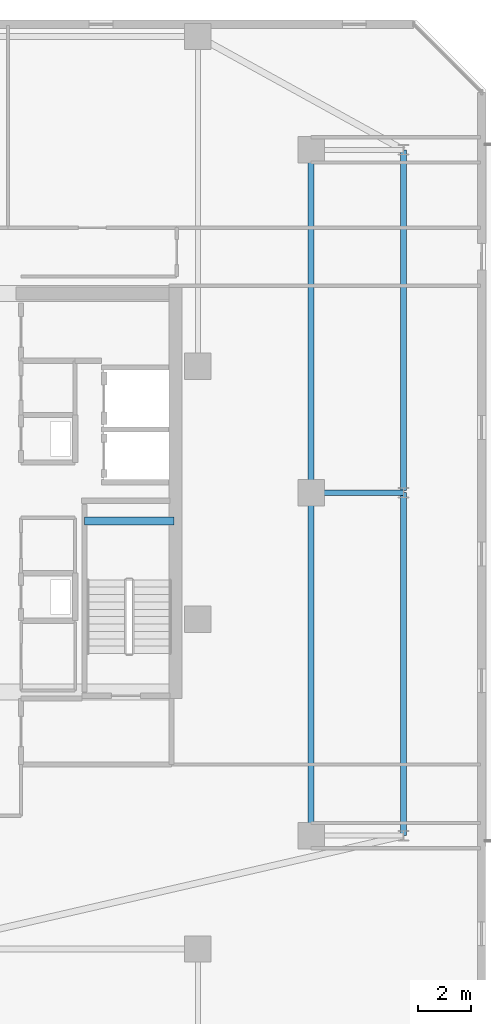
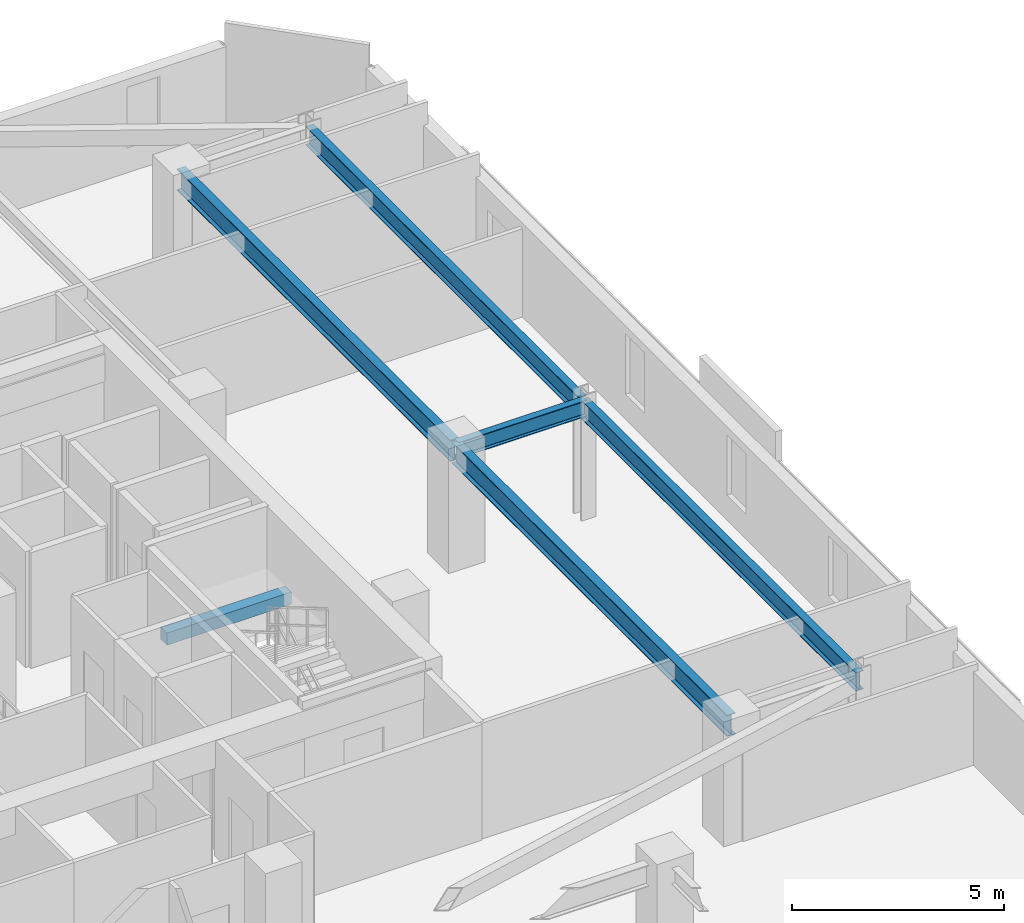
# One storey, part 13 of 32: 6 beams.
"""IFC4 building model written with IfcOpenShell, lengths in metres."""

import ifcopenshell
import ifcopenshell.guid

model = None  # the IFC model being written
_history = None  # IfcOwnerHistory: only IFC2X3 demands one
_inside = {}  # id of a spatial element -> (the spatial element, [elements in it])
_under = {}  # id of a project, library or spatial element -> (it, [spatial elements below it])
_declared = {}  # id of a project -> (the project, [libraries it declares])
_typed = {}  # id of a type object -> (the type object, [elements of that type])
_made_of = {}  # id of a material, layer set ... -> (it, [elements and type objects made of it])


def new_model(schema):
    """Start an empty IFC model of exactly this schema.

    Asked for "IFC4X3", IfcOpenShell would pick the latest addendum, in which some entities
    have other attributes; the version numbers below select the first issue.
    IFC2X3 requires an IfcOwnerHistory on every rooted entity: one is made here for all.
    """
    global model, _history
    if schema == "IFC4X3":
        model = ifcopenshell.file(schema_version=(4, 3, 0, 0))
    else:
        model = ifcopenshell.file(schema=schema)
    _inside.clear()
    _under.clear()
    _declared.clear()
    _typed.clear()
    _made_of.clear()
    _history = None
    if model.schema == "IFC2X3":
        org = make("IfcOrganization", Name="unknown")
        user = make(
            "IfcPersonAndOrganization",
            ThePerson=make("IfcPerson", FamilyName="unknown"),
            TheOrganization=org,
        )
        app = make(
            "IfcApplication",
            ApplicationDeveloper=org,
            Version="unknown",
            ApplicationFullName="unknown",
            ApplicationIdentifier="unknown",
        )
        _history = make(
            "IfcOwnerHistory",
            OwningUser=user,
            OwningApplication=app,
            ChangeAction="ADDED",
            CreationDate=0,
        )
    return model


def make(cls, **values):
    """One entity of the class cls with the attributes given. An attribute that is None is left unset."""
    return model.create_entity(
        cls, **{name: value for name, value in values.items() if value is not None}
    )


def rooted(cls, **values):
    """An entity with a GlobalId (a new one), such as an element, a storey or a relation."""
    return make(cls, GlobalId=ifcopenshell.guid.new(), OwnerHistory=_history, **values)


def si_unit(unit_type, name, prefix=None):
    """IfcSIUnit, for example si_unit("LENGTHUNIT", "METRE", prefix="MILLI")."""
    return make("IfcSIUnit", UnitType=unit_type, Prefix=prefix, Name=name)


def assignment(units):
    """IfcUnitAssignment: the units of a project."""
    return None if units is None else make("IfcUnitAssignment", Units=units)


def point(xyz):
    """IfcCartesianPoint."""
    return None if xyz is None else make("IfcCartesianPoint", Coordinates=xyz)


def direction(xyz):
    """IfcDirection."""
    return None if xyz is None else make("IfcDirection", DirectionRatios=xyz)


def frame(location, z_axis=None, x_axis=None):
    """IfcAxis2Placement3D, a coordinate frame: its origin and axes. An axis left out is left unset."""
    return make(
        "IfcAxis2Placement3D",
        Location=point(location),
        Axis=direction(z_axis),
        RefDirection=direction(x_axis),
    )


def frame_2d(location, x_axis=None):
    """IfcAxis2Placement2D, a coordinate frame in the plane: its origin and x axis."""
    return make(
        "IfcAxis2Placement2D", Location=point(location), RefDirection=direction(x_axis)
    )


def origin():
    """The frame at (0, 0, 0) with its axes left unset."""
    return frame((0.0, 0.0, 0.0))


def origin_2d():
    """The frame at (0, 0) in the plane with its x axis left unset."""
    return frame_2d((0.0, 0.0))


def place(relative_to, where):
    """IfcLocalPlacement: puts the frame where relative to a parent placement (None: the world)."""
    return make(
        "IfcLocalPlacement", PlacementRelTo=relative_to, RelativePlacement=where
    )


def context(
    kind, dimensions, precision=None, world=None, true_north=None, identifier=None
):
    """IfcGeometricRepresentationContext, for example the 3D "Model" context."""
    return make(
        "IfcGeometricRepresentationContext",
        ContextIdentifier=identifier,
        ContextType=kind,
        CoordinateSpaceDimension=dimensions,
        Precision=precision,
        WorldCoordinateSystem=world,
        TrueNorth=true_north,
    )


def subcontext(parent, identifier, kind, view, scale=None):
    """IfcGeometricRepresentationSubContext, for example "Body" below "Model"."""
    return make(
        "IfcGeometricRepresentationSubContext",
        ContextIdentifier=identifier,
        ContextType=kind,
        ParentContext=parent,
        TargetScale=scale,
        TargetView=view,
    )


def project(units=None, contexts=None):
    """IfcProject with its units and contexts."""
    return rooted(
        "IfcProject",
        Name="project",
        RepresentationContexts=contexts,
        UnitsInContext=assignment(units),
    )


def spatial(cls, under=None, at=None, **own):
    """A site, building, storey or space (cls), placed at a placement, below another one or the project."""
    s = rooted(cls, ObjectPlacement=at, **own)
    if under is not None:
        _under.setdefault(under.id(), (under, []))[1].append(s)
    return s


def profile(cls, at=None, kind="AREA", **sizes):
    """A parametric profile (cls). Its sizes go by their IFC names, for example OverallWidth=200.0."""
    return make(cls, ProfileType=kind, Position=at, **sizes)


def rectangle(**sizes):
    """IfcRectangleProfileDef."""
    return profile("IfcRectangleProfileDef", **sizes)


def i_section(**sizes):
    """IfcIShapeProfileDef."""
    return profile("IfcIShapeProfileDef", **sizes)


def extrude(swept, where, along, depth):
    """IfcExtrudedAreaSolid: the profile swept, set in the frame where, extruded along a direction by depth."""
    return make(
        "IfcExtrudedAreaSolid",
        SweptArea=swept,
        Position=where,
        ExtrudedDirection=direction(along),
        Depth=depth,
    )


def shape(context_of_items, identifier, shape_type, items):
    """IfcShapeRepresentation: the items that make up one representation, for example the "Body"."""
    return make(
        "IfcShapeRepresentation",
        ContextOfItems=context_of_items,
        RepresentationIdentifier=identifier,
        RepresentationType=shape_type,
        Items=items,
    )


def material(Name=None, Category=None):
    """IfcMaterial."""
    return make("IfcMaterial", Name=Name, Category=Category)


def material_profile(
    of_material, cross_section, Name=None, Category=None, Priority=None
):
    """IfcMaterialProfile: a cross section and its material."""
    return make(
        "IfcMaterialProfile",
        Name=Name,
        Material=of_material,
        Profile=cross_section,
        Priority=Priority,
        Category=Category,
    )


def profile_set(profiles, Name=None, composite=None):
    """IfcMaterialProfileSet."""
    return make(
        "IfcMaterialProfileSet",
        Name=Name,
        MaterialProfiles=profiles,
        CompositeProfile=composite,
    )


def made_of(thing, what):
    """Note that an element or type object is made of a material, layer set ...; save() writes the relation."""
    if what is not None:
        _made_of.setdefault(what.id(), (what, []))[1].append(thing)
    return thing


def type_object(cls, material=None, **own):
    """A type object (cls), such as IfcWallType, which elements share."""
    return made_of(rooted(cls, **own), material)


def element(
    cls,
    number,
    at=None,
    inside=None,
    cuts=None,
    type_object=None,
    material=None,
    context=None,
    identifier="Body",
    shape_type=None,
    held_by="IfcProductDefinitionShape",
    body=None,
    shapes=None,
    **own,
):
    """One element of the class cls, such as IfcWall. Its Tag is "e" and its number.

    at: its placement. inside: the storey or other place that contains it. cuts: it is an
    opening in that element (IfcRelVoidsElement). A single representation is given by context,
    identifier, shape_type and body (its items); several are given by shapes. held_by: the class
    of the entity that holds the representations. save() writes the other relations.
    """
    e = rooted(cls, Tag="e%d" % number, ObjectPlacement=at, **own)
    if body is not None:
        shapes = [shape(context, identifier, shape_type, body)]
    if shapes is not None:
        e.Representation = make(held_by, Representations=shapes)
    if inside is not None:
        _inside.setdefault(inside.id(), (inside, []))[1].append(e)
    if cuts is not None:
        rooted(
            "IfcRelVoidsElement", RelatingBuildingElement=cuts, RelatedOpeningElement=e
        )
    if type_object is not None:
        _typed.setdefault(type_object.id(), (type_object, []))[1].append(e)
    return made_of(e, material)


def aggregate(whole, parts):
    """IfcRelAggregates: a whole, such as a stair, and the parts it consists of."""
    return rooted("IfcRelAggregates", RelatingObject=whole, RelatedObjects=parts)


def save(model, path):
    """Write the relations noted so far, then the file.

    IfcRelAggregates (storeys below a building ...), IfcRelContainedInSpatialStructure (elements
    in a storey), IfcRelDefinesByType, IfcRelAssociatesMaterial and IfcRelDeclares: one each for
    every whole, place, type object, material and project.
    """
    for whole, parts in _under.values():
        aggregate(whole, parts)
    for where, things in _inside.values():
        rooted(
            "IfcRelContainedInSpatialStructure",
            RelatedElements=things,
            RelatingStructure=where,
        )
    for kind, things in _typed.values():
        rooted("IfcRelDefinesByType", RelatedObjects=things, RelatingType=kind)
    for what, things in _made_of.values():
        rooted("IfcRelAssociatesMaterial", RelatedObjects=things, RelatingMaterial=what)
    for by, libraries in _declared.values():
        rooted("IfcRelDeclares", RelatingContext=by, RelatedDefinitions=libraries)
    model.write(path)


model = new_model("IFC4")

# Units and contexts
model_context = context("Model", 3, precision=1e-05, world=origin(), true_north=direction((0.0, 1.0)))
body_context = subcontext(model_context, "Body", "Model", "MODEL_VIEW")
ifc_project = project(units=[si_unit("LENGTHUNIT", "METRE"), si_unit("AREAUNIT", "SQUARE_METRE"), si_unit("VOLUMEUNIT", "CUBIC_METRE"), si_unit("PLANEANGLEUNIT", "RADIAN"), si_unit("MASSUNIT", "GRAM", prefix="KILO")], contexts=[model_context])

# Site, building, storey
site_placement = place(None, origin())
site = spatial("IfcSite", under=ifc_project, at=site_placement, CompositionType="ELEMENT")
building_placement = place(site_placement, origin())
building = spatial("IfcBuilding", under=site, at=building_placement, Name="Thornwick Lancets Civic Towers", CompositionType="ELEMENT")
storey_placement = place(building_placement, frame((0.0, 0.0, 247.5)))
storey = spatial("IfcBuildingStorey", under=building, at=storey_placement, Name="L66", CompositionType="ELEMENT", Elevation=247.5)

# Beams
ifc_material_1 = material(Name="Steel S355JR", Category="steel")
ifc_material_profile_1 = material_profile(ifc_material_1, i_section(OverallWidth=0.210693359375, OverallDepth=0.53955078125, WebThickness=0.01171875, FlangeThickness=0.018798828125, FilletRadius=0.0126953125, at=origin_2d()), Name="UKB 533x210x109")
ifc_profile_set_1 = profile_set([ifc_material_profile_1], Name="Steel S355JR")
beam_type_1 = type_object("IfcBeamType", Name="BM_EDGE_533_109", PredefinedType="SPANDREL", material=ifc_profile_set_1)
beam_1_placement = place(storey_placement, frame((109.300048828125, 14.0, 3.09033203125), z_axis=(0.0, 1.0, 0.0), x_axis=(-1.0, 0.0, 0.0)))
element("IfcBeam", 1, at=beam_1_placement, inside=storey, type_object=beam_type_1, Name="BM-EDGE-L66-B-S0-1", PredefinedType="SPANDREL", context=body_context, shape_type="SweptSolid", body=[
    extrude(i_section(OverallWidth=0.210693359375, OverallDepth=0.53955078125, WebThickness=0.01171875, FlangeThickness=0.018798828125, FilletRadius=0.0126953125, at=origin_2d()), origin(), (0.0, 0.0, 1.0), 13.0),
])
beam_2_placement = place(storey_placement, frame((109.300048828125, 27.080078125, 3.09033203125), z_axis=(0.0, 1.0, 0.0), x_axis=(-1.0, 0.0, 0.0)))
element("IfcBeam", 2, at=beam_2_placement, inside=storey, type_object=beam_type_1, Name="BM-EDGE-L66-B-S0-2", PredefinedType="SPANDREL", context=body_context, shape_type="SweptSolid", body=[
    extrude(i_section(OverallWidth=0.210693359375, OverallDepth=0.53955078125, WebThickness=0.01171875, FlangeThickness=0.018798828125, FilletRadius=0.0126953125, at=origin_2d()), origin(), (0.0, 0.0, 1.0), 12.919921875),
])
ifc_material_profile_2 = material_profile(ifc_material_1, i_section(OverallWidth=0.230224609375, OverallDepth=0.6171875, WebThickness=0.01318359375, FlangeThickness=0.022216796875, FilletRadius=0.0126953125, at=origin_2d()), Name="UKB 610x229x140")
ifc_profile_set_2 = profile_set([ifc_material_profile_2], Name="Steel S355JR")
beam_type_2 = type_object("IfcBeamType", Name="BM_GIRD_610_140", PredefinedType="BEAM", material=ifc_profile_set_2)
beam_3_placement = place(storey_placement, frame((105.800048828125, 14.0, 3.051513671875), z_axis=(0.0, 1.0, 0.0), x_axis=(-1.0, 0.0, 0.0)))
element("IfcBeam", 3, at=beam_3_placement, inside=storey, type_object=beam_type_2, Name="BM-SPINE-L66-B-0-1", PredefinedType="BEAM", context=body_context, shape_type="SweptSolid", body=[
    extrude(i_section(OverallWidth=0.230224609375, OverallDepth=0.6171875, WebThickness=0.01318359375, FlangeThickness=0.022216796875, FilletRadius=0.0126953125, at=origin_2d()), origin(), (0.0, 0.0, 1.0), 13.0),
])
beam_4_placement = place(storey_placement, frame((105.800048828125, 27.080078125, 3.051513671875), z_axis=(0.0, 1.0, 0.0), x_axis=(-1.0, 0.0, 0.0)))
element("IfcBeam", 4, at=beam_4_placement, inside=storey, type_object=beam_type_2, Name="BM-SPINE-L66-B-1-2", PredefinedType="BEAM", context=body_context, shape_type="SweptSolid", body=[
    extrude(i_section(OverallWidth=0.230224609375, OverallDepth=0.6171875, WebThickness=0.01318359375, FlangeThickness=0.022216796875, FilletRadius=0.0126953125, at=origin_2d()), origin(), (0.0, 0.0, 1.0), 12.919921875),
])
ifc_material_profile_3 = material_profile(ifc_material_1, i_section(OverallWidth=0.19189453125, OverallDepth=0.46337890625, WebThickness=0.010498046875, FlangeThickness=0.017578125, FilletRadius=0.01025390625, at=origin_2d()), Name="UKB 457x191x89")
ifc_profile_set_3 = profile_set([ifc_material_profile_3], Name="Steel S355JR")
beam_type_3 = type_object("IfcBeamType", Name="BM_JOIST_457_89", PredefinedType="JOIST", material=ifc_profile_set_3)
beam_5_placement = place(storey_placement, frame((105.800048828125, 27.0, 3.12841796875), z_axis=(1.0, 0.0, 0.0), x_axis=(0.0, 1.0, 0.0)))
element("IfcBeam", 5, at=beam_5_placement, inside=storey, type_object=beam_type_3, Name="BM-RAD-L66-B02", PredefinedType="JOIST", context=body_context, shape_type="SweptSolid", body=[
    extrude(i_section(OverallWidth=0.19189453125, OverallDepth=0.46337890625, WebThickness=0.010498046875, FlangeThickness=0.017578125, FilletRadius=0.01025390625, at=origin_2d()), origin(), (0.0, 0.0, 1.0), 3.5),
])
ifc_material_2 = material(Name="Concrete C40/50", Category="concrete")
ifc_material_profile_4 = material_profile(ifc_material_2, rectangle(XDim=0.300048828125, YDim=0.35009765625, at=origin_2d()), Name="RC 300x350")
ifc_profile_set_4 = profile_set([ifc_material_profile_4], Name="Concrete C40/50")
beam_type_4 = type_object("IfcBeamType", Name="BM_STAIR_LDG", PredefinedType="BEAM", material=ifc_profile_set_4)
beam_6_placement = place(storey_placement, frame((100.60009765625, 25.93505859375, 1.3779296875), z_axis=(-1.0, 0.0, 0.0), x_axis=(0.0, -1.0, 0.0)))
element("IfcBeam", 6, at=beam_6_placement, inside=storey, type_object=beam_type_4, Name="L66 ST-B1 Landing Support Beam 1", PredefinedType="BEAM", context=body_context, shape_type="SweptSolid", body=[
    extrude(rectangle(XDim=0.300048828125, YDim=0.35009765625, at=origin_2d()), origin(), (0.0, 0.0, 1.0), 3.400146484375),
])

save(model, "model.ifc")
